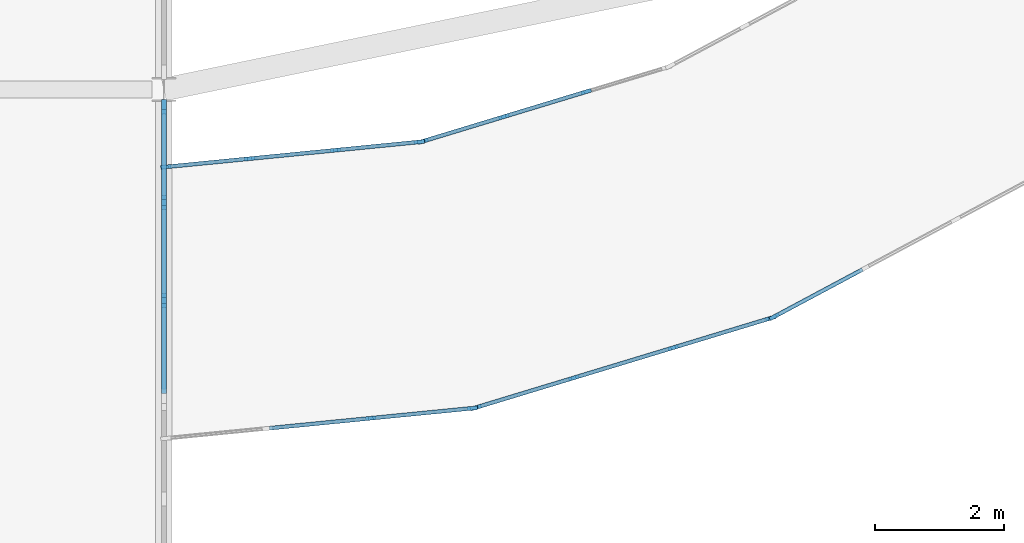
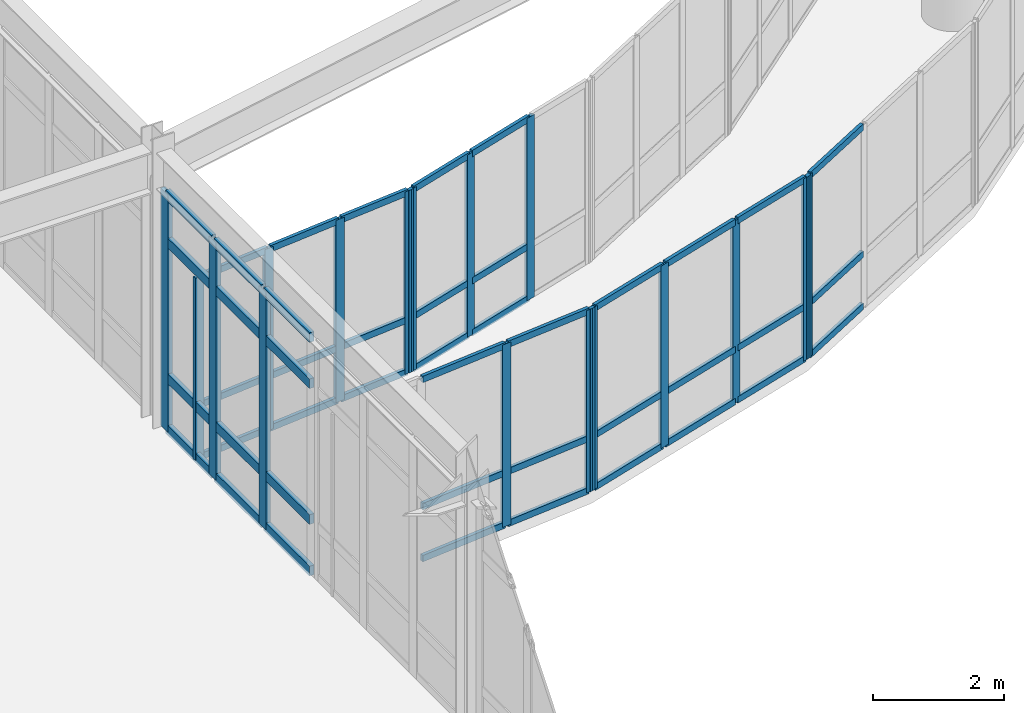
# One storey, part 17 of 72: 62 members, 6 elements without a shape of their own.
"""IFC4 building model written with IfcOpenShell, lengths in metres."""

import ifcopenshell
import ifcopenshell.guid

model = None  # the IFC model being written
_history = None  # IfcOwnerHistory: only IFC2X3 demands one
_inside = {}  # id of a spatial element -> (the spatial element, [elements in it])
_under = {}  # id of a project, library or spatial element -> (it, [spatial elements below it])
_declared = {}  # id of a project -> (the project, [libraries it declares])
_typed = {}  # id of a type object -> (the type object, [elements of that type])
_made_of = {}  # id of a material, layer set ... -> (it, [elements and type objects made of it])


def new_model(schema):
    """Start an empty IFC model of exactly this schema.

    Asked for "IFC4X3", IfcOpenShell would pick the latest addendum, in which some entities
    have other attributes; the version numbers below select the first issue.
    IFC2X3 requires an IfcOwnerHistory on every rooted entity: one is made here for all.
    """
    global model, _history
    if schema == "IFC4X3":
        model = ifcopenshell.file(schema_version=(4, 3, 0, 0))
    else:
        model = ifcopenshell.file(schema=schema)
    _inside.clear()
    _under.clear()
    _declared.clear()
    _typed.clear()
    _made_of.clear()
    _history = None
    if model.schema == "IFC2X3":
        org = make("IfcOrganization", Name="unknown")
        user = make(
            "IfcPersonAndOrganization",
            ThePerson=make("IfcPerson", FamilyName="unknown"),
            TheOrganization=org,
        )
        app = make(
            "IfcApplication",
            ApplicationDeveloper=org,
            Version="unknown",
            ApplicationFullName="unknown",
            ApplicationIdentifier="unknown",
        )
        _history = make(
            "IfcOwnerHistory",
            OwningUser=user,
            OwningApplication=app,
            ChangeAction="ADDED",
            CreationDate=0,
        )
    return model


def make(cls, **values):
    """One entity of the class cls with the attributes given. An attribute that is None is left unset."""
    return model.create_entity(
        cls, **{name: value for name, value in values.items() if value is not None}
    )


def rooted(cls, **values):
    """An entity with a GlobalId (a new one), such as an element, a storey or a relation."""
    return make(cls, GlobalId=ifcopenshell.guid.new(), OwnerHistory=_history, **values)


def si_unit(unit_type, name, prefix=None):
    """IfcSIUnit, for example si_unit("LENGTHUNIT", "METRE", prefix="MILLI")."""
    return make("IfcSIUnit", UnitType=unit_type, Prefix=prefix, Name=name)


def assignment(units):
    """IfcUnitAssignment: the units of a project."""
    return None if units is None else make("IfcUnitAssignment", Units=units)


def point(xyz):
    """IfcCartesianPoint."""
    return None if xyz is None else make("IfcCartesianPoint", Coordinates=xyz)


def direction(xyz):
    """IfcDirection."""
    return None if xyz is None else make("IfcDirection", DirectionRatios=xyz)


def frame(location, z_axis=None, x_axis=None):
    """IfcAxis2Placement3D, a coordinate frame: its origin and axes. An axis left out is left unset."""
    return make(
        "IfcAxis2Placement3D",
        Location=point(location),
        Axis=direction(z_axis),
        RefDirection=direction(x_axis),
    )


def frame_2d(location, x_axis=None):
    """IfcAxis2Placement2D, a coordinate frame in the plane: its origin and x axis."""
    return make(
        "IfcAxis2Placement2D", Location=point(location), RefDirection=direction(x_axis)
    )


def origin():
    """The frame at (0, 0, 0) with its axes left unset."""
    return frame((0.0, 0.0, 0.0))


def origin_2d():
    """The frame at (0, 0) in the plane with its x axis left unset."""
    return frame_2d((0.0, 0.0))


def place(relative_to, where):
    """IfcLocalPlacement: puts the frame where relative to a parent placement (None: the world)."""
    return make(
        "IfcLocalPlacement", PlacementRelTo=relative_to, RelativePlacement=where
    )


def context(
    kind, dimensions, precision=None, world=None, true_north=None, identifier=None
):
    """IfcGeometricRepresentationContext, for example the 3D "Model" context."""
    return make(
        "IfcGeometricRepresentationContext",
        ContextIdentifier=identifier,
        ContextType=kind,
        CoordinateSpaceDimension=dimensions,
        Precision=precision,
        WorldCoordinateSystem=world,
        TrueNorth=true_north,
    )


def subcontext(parent, identifier, kind, view, scale=None):
    """IfcGeometricRepresentationSubContext, for example "Body" below "Model"."""
    return make(
        "IfcGeometricRepresentationSubContext",
        ContextIdentifier=identifier,
        ContextType=kind,
        ParentContext=parent,
        TargetScale=scale,
        TargetView=view,
    )


def project(units=None, contexts=None):
    """IfcProject with its units and contexts."""
    return rooted(
        "IfcProject",
        Name="project",
        RepresentationContexts=contexts,
        UnitsInContext=assignment(units),
    )


def spatial(cls, under=None, at=None, **own):
    """A site, building, storey or space (cls), placed at a placement, below another one or the project."""
    s = rooted(cls, ObjectPlacement=at, **own)
    if under is not None:
        _under.setdefault(under.id(), (under, []))[1].append(s)
    return s


def profile(cls, at=None, kind="AREA", **sizes):
    """A parametric profile (cls). Its sizes go by their IFC names, for example OverallWidth=200.0."""
    return make(cls, ProfileType=kind, Position=at, **sizes)


def rectangle(**sizes):
    """IfcRectangleProfileDef."""
    return profile("IfcRectangleProfileDef", **sizes)


def extrude(swept, where, along, depth):
    """IfcExtrudedAreaSolid: the profile swept, set in the frame where, extruded along a direction by depth."""
    return make(
        "IfcExtrudedAreaSolid",
        SweptArea=swept,
        Position=where,
        ExtrudedDirection=direction(along),
        Depth=depth,
    )


def shape(context_of_items, identifier, shape_type, items):
    """IfcShapeRepresentation: the items that make up one representation, for example the "Body"."""
    return make(
        "IfcShapeRepresentation",
        ContextOfItems=context_of_items,
        RepresentationIdentifier=identifier,
        RepresentationType=shape_type,
        Items=items,
    )


def material(Name=None, Category=None):
    """IfcMaterial."""
    return make("IfcMaterial", Name=Name, Category=Category)


def material_profile(
    of_material, cross_section, Name=None, Category=None, Priority=None
):
    """IfcMaterialProfile: a cross section and its material."""
    return make(
        "IfcMaterialProfile",
        Name=Name,
        Material=of_material,
        Profile=cross_section,
        Priority=Priority,
        Category=Category,
    )


def profile_set(profiles, Name=None, composite=None):
    """IfcMaterialProfileSet."""
    return make(
        "IfcMaterialProfileSet",
        Name=Name,
        MaterialProfiles=profiles,
        CompositeProfile=composite,
    )


def made_of(thing, what):
    """Note that an element or type object is made of a material, layer set ...; save() writes the relation."""
    if what is not None:
        _made_of.setdefault(what.id(), (what, []))[1].append(thing)
    return thing


def type_object(cls, material=None, **own):
    """A type object (cls), such as IfcWallType, which elements share."""
    return made_of(rooted(cls, **own), material)


def element(
    cls,
    number,
    at=None,
    inside=None,
    cuts=None,
    type_object=None,
    material=None,
    context=None,
    identifier="Body",
    shape_type=None,
    held_by="IfcProductDefinitionShape",
    body=None,
    shapes=None,
    **own,
):
    """One element of the class cls, such as IfcWall. Its Tag is "e" and its number.

    at: its placement. inside: the storey or other place that contains it. cuts: it is an
    opening in that element (IfcRelVoidsElement). A single representation is given by context,
    identifier, shape_type and body (its items); several are given by shapes. held_by: the class
    of the entity that holds the representations. save() writes the other relations.
    """
    e = rooted(cls, Tag="e%d" % number, ObjectPlacement=at, **own)
    if body is not None:
        shapes = [shape(context, identifier, shape_type, body)]
    if shapes is not None:
        e.Representation = make(held_by, Representations=shapes)
    if inside is not None:
        _inside.setdefault(inside.id(), (inside, []))[1].append(e)
    if cuts is not None:
        rooted(
            "IfcRelVoidsElement", RelatingBuildingElement=cuts, RelatedOpeningElement=e
        )
    if type_object is not None:
        _typed.setdefault(type_object.id(), (type_object, []))[1].append(e)
    return made_of(e, material)


def aggregate(whole, parts):
    """IfcRelAggregates: a whole, such as a stair, and the parts it consists of."""
    return rooted("IfcRelAggregates", RelatingObject=whole, RelatedObjects=parts)


def save(model, path):
    """Write the relations noted so far, then the file.

    IfcRelAggregates (storeys below a building ...), IfcRelContainedInSpatialStructure (elements
    in a storey), IfcRelDefinesByType, IfcRelAssociatesMaterial and IfcRelDeclares: one each for
    every whole, place, type object, material and project.
    """
    for whole, parts in _under.values():
        aggregate(whole, parts)
    for where, things in _inside.values():
        rooted(
            "IfcRelContainedInSpatialStructure",
            RelatedElements=things,
            RelatingStructure=where,
        )
    for kind, things in _typed.values():
        rooted("IfcRelDefinesByType", RelatedObjects=things, RelatingType=kind)
    for what, things in _made_of.values():
        rooted("IfcRelAssociatesMaterial", RelatedObjects=things, RelatingMaterial=what)
    for by, libraries in _declared.values():
        rooted("IfcRelDeclares", RelatingContext=by, RelatedDefinitions=libraries)
    model.write(path)


model = new_model("IFC4")

# Units and contexts
model_context = context("Model", 3, precision=1e-05, world=origin(), true_north=direction((0.0, 1.0)))
body_context = subcontext(model_context, "Body", "Model", "MODEL_VIEW")
ifc_project = project(units=[si_unit("LENGTHUNIT", "METRE"), si_unit("AREAUNIT", "SQUARE_METRE"), si_unit("VOLUMEUNIT", "CUBIC_METRE"), si_unit("PLANEANGLEUNIT", "RADIAN"), si_unit("MASSUNIT", "GRAM", prefix="KILO")], contexts=[model_context])

# Site, building, storey
site_placement = place(None, origin())
site = spatial("IfcSite", under=ifc_project, at=site_placement, CompositionType="ELEMENT")
building_placement = place(site_placement, origin())
building = spatial("IfcBuilding", under=site, at=building_placement, Name="Veldera Park Congress Hotel", CompositionType="ELEMENT")
storey_placement = place(building_placement, frame((0.0, 0.0, 5.39990234375)))
storey = spatial("IfcBuildingStorey", under=building, at=storey_placement, Name="L01", CompositionType="ELEMENT", Elevation=5.39990234375)

# Curtain wall, members
ifc_material_1 = material(Name="Low-E Triple Insulating Glass Unit (SHGC 0.22)", Category="glass")
curtain_wall_type_1 = type_object("IfcCurtainWallType", Name="CW-BRG", PredefinedType="NOTDEFINED", material=ifc_material_1)
curtain_wall_1_placement = place(storey_placement, origin())
curtain_wall_1 = element("IfcCurtainWall", 1, at=curtain_wall_1_placement, inside=storey, type_object=curtain_wall_type_1, Name="L01 Curtain Wall CW3-BRGW-L01-A00", PredefinedType="NOTDEFINED")
ifc_material_2 = material(Name="Anodised Aluminium Alloy 6063-T6", Category="aluminium")
ifc_material_profile_1 = material_profile(ifc_material_2, rectangle(XDim=0.06005859375, YDim=0.159912109375, at=origin_2d()), Name="ALU 60x160")
ifc_profile_set_1 = profile_set([ifc_material_profile_1], Name="Anodised Aluminium Alloy 6063-T6")
member_type_1 = type_object("IfcMemberType", Name="CWM-160", PredefinedType="MULLION", material=ifc_profile_set_1)
member_1_placement = place(storey_placement, frame((1.599365234375, -6.884765625, 0.0), z_axis=(0.0, 0.0, 1.0), x_axis=(-0.098021259481, 0.995184320963, 0.0)))
member_1 = element("IfcMember", 2, at=member_1_placement, type_object=member_type_1, Name="CW-BRG mullion 3", PredefinedType="MULLION", context=body_context, shape_type="SweptSolid", body=[
    extrude(rectangle(XDim=0.06005859375, YDim=0.159912109375, at=origin_2d()), origin(), (0.0, 0.0, 1.0), 3.400146484375),
])
member_2_placement = place(storey_placement, frame((3.16943359375, -6.730224609375, 0.0), z_axis=(0.0, 0.0, 1.0), x_axis=(-0.098021259481, 0.995184320963, 0.0)))
member_2 = element("IfcMember", 3, at=member_2_placement, type_object=member_type_1, Name="CW-BRG mullion 4", PredefinedType="MULLION", context=body_context, shape_type="SweptSolid", body=[
    extrude(rectangle(XDim=0.06005859375, YDim=0.159912109375, at=origin_2d()), origin(), (0.0, 0.0, 1.0), 3.400146484375),
])

curtain_wall_2_placement = place(storey_placement, origin())
curtain_wall_2 = element("IfcCurtainWall", 4, at=curtain_wall_2_placement, inside=storey, type_object=curtain_wall_type_1, Name="L01 Curtain Wall CW3-BRGW-L01-A01", PredefinedType="NOTDEFINED")
member_3_placement = place(storey_placement, frame((3.22802734375, -6.718505859375, 0.0), z_axis=(0.0, 0.0, 1.0), x_axis=(-0.290287663177, 0.956939429957, 0.0)))
member_3 = element("IfcMember", 5, at=member_3_placement, type_object=member_type_1, Name="CW-BRG mullion 1", PredefinedType="MULLION", context=body_context, shape_type="SweptSolid", body=[
    extrude(rectangle(XDim=0.06005859375, YDim=0.159912109375, at=origin_2d()), origin(), (0.0, 0.0, 1.0), 3.400146484375),
])
member_4_placement = place(storey_placement, frame((4.737548828125, -6.2607421875, 0.0), z_axis=(0.0, 0.0, 1.0), x_axis=(-0.290287663177, 0.956939429957, 0.0)))
member_4 = element("IfcMember", 6, at=member_4_placement, type_object=member_type_1, Name="CW-BRG mullion 2", PredefinedType="MULLION", context=body_context, shape_type="SweptSolid", body=[
    extrude(rectangle(XDim=0.06005859375, YDim=0.159912109375, at=origin_2d()), origin(), (0.0, 0.0, 1.0), 3.400146484375),
])
member_5_placement = place(storey_placement, frame((6.275634765625, -5.7939453125, 0.0), z_axis=(0.0, 0.0, 1.0), x_axis=(-0.290287663177, 0.956939429957, 0.0)))
member_5 = element("IfcMember", 7, at=member_5_placement, type_object=member_type_1, Name="CW-BRG mullion 3", PredefinedType="MULLION", context=body_context, shape_type="SweptSolid", body=[
    extrude(rectangle(XDim=0.06005859375, YDim=0.159912109375, at=origin_2d()), origin(), (0.0, 0.0, 1.0), 3.400146484375),
])
member_6_placement = place(storey_placement, frame((7.785400390625, -5.336181640625, 0.0), z_axis=(0.0, 0.0, 1.0), x_axis=(-0.290287663177, 0.956939429957, 0.0)))
member_6 = element("IfcMember", 8, at=member_6_placement, type_object=member_type_1, Name="CW-BRG mullion 4", PredefinedType="MULLION", context=body_context, shape_type="SweptSolid", body=[
    extrude(rectangle(XDim=0.06005859375, YDim=0.159912109375, at=origin_2d()), origin(), (0.0, 0.0, 1.0), 3.400146484375),
])

# Curtain wall, member
curtain_wall_3_placement = place(storey_placement, origin())
curtain_wall_3 = element("IfcCurtainWall", 9, at=curtain_wall_3_placement, inside=storey, type_object=curtain_wall_type_1, Name="L01 Curtain Wall CW3-BRGW-L01-A02", PredefinedType="NOTDEFINED")
member_7_placement = place(storey_placement, frame((7.840576171875, -5.313232421875, 0.0), z_axis=(0.0, 0.0, 1.0), x_axis=(-0.471384501415, 0.881927804203, 0.0)))
member_7 = element("IfcMember", 10, at=member_7_placement, type_object=member_type_1, Name="CW-BRG mullion 1", PredefinedType="MULLION", context=body_context, shape_type="SweptSolid", body=[
    extrude(rectangle(XDim=0.06005859375, YDim=0.159912109375, at=origin_2d()), origin(), (0.0, 0.0, 1.0), 3.400146484375),
])

# Curtain wall, members
curtain_wall_4_placement = place(storey_placement, origin())
curtain_wall_4 = element("IfcCurtainWall", 11, at=curtain_wall_4_placement, inside=storey, type_object=curtain_wall_type_1, Name="L01 Curtain Wall CW3-BRGW-L01-B15", PredefinedType="NOTDEFINED")
member_8_placement = place(storey_placement, frame((4.93115234375, -1.833984375, 0.0), z_axis=(0.0, 0.0, 1.0), x_axis=(0.290289846929, -0.956938767513, 0.0)))
member_8 = element("IfcMember", 12, at=member_8_placement, type_object=member_type_1, Name="CW-BRG mullion 2", PredefinedType="MULLION", context=body_context, shape_type="SweptSolid", body=[
    extrude(rectangle(XDim=0.06005859375, YDim=0.159912109375, at=origin_2d()), origin(), (0.0, 0.0, 1.0), 3.400146484375),
])
member_9_placement = place(storey_placement, frame((3.655517578125, -2.220947265625, 0.0), z_axis=(0.0, 0.0, 1.0), x_axis=(0.290289846929, -0.956938767513, 0.0)))
member_9 = element("IfcMember", 13, at=member_9_placement, type_object=member_type_1, Name="CW-BRG mullion 3", PredefinedType="MULLION", context=body_context, shape_type="SweptSolid", body=[
    extrude(rectangle(XDim=0.06005859375, YDim=0.159912109375, at=origin_2d()), origin(), (0.0, 0.0, 1.0), 3.400146484375),
])
member_10_placement = place(storey_placement, frame((2.408447265625, -2.599365234375, 0.0), z_axis=(0.0, 0.0, 1.0), x_axis=(0.290289846929, -0.956938767513, 0.0)))
member_10 = element("IfcMember", 14, at=member_10_placement, type_object=member_type_1, Name="CW-BRG mullion 4", PredefinedType="MULLION", context=body_context, shape_type="SweptSolid", body=[
    extrude(rectangle(XDim=0.06005859375, YDim=0.159912109375, at=origin_2d()), origin(), (0.0, 0.0, 1.0), 3.400146484375),
])

curtain_wall_5_placement = place(storey_placement, origin())
curtain_wall_5 = element("IfcCurtainWall", 15, at=curtain_wall_5_placement, inside=storey, type_object=curtain_wall_type_1, Name="L01 Curtain Wall CW3-BRGW-L01-B16", PredefinedType="NOTDEFINED")
member_11_placement = place(storey_placement, frame((2.349853515625, -2.61083984375, 0.0), z_axis=(0.0, 0.0, 1.0), x_axis=(0.098023062513, -0.99518414337, 0.0)))
member_11 = element("IfcMember", 16, at=member_11_placement, type_object=member_type_1, Name="CW-BRG mullion 1", PredefinedType="MULLION", context=body_context, shape_type="SweptSolid", body=[
    extrude(rectangle(XDim=0.06005859375, YDim=0.159912109375, at=origin_2d()), origin(), (0.0, 0.0, 1.0), 3.400146484375),
])
member_12_placement = place(storey_placement, frame((1.05322265625, -2.73876953125, 0.0), z_axis=(0.0, 0.0, 1.0), x_axis=(0.098023062513, -0.99518414337, 0.0)))
member_12 = element("IfcMember", 17, at=member_12_placement, type_object=member_type_1, Name="CW-BRG mullion 2", PredefinedType="MULLION", context=body_context, shape_type="SweptSolid", body=[
    extrude(rectangle(XDim=0.06005859375, YDim=0.159912109375, at=origin_2d()), origin(), (0.0, 0.0, 1.0), 3.400146484375),
])
member_13_placement = place(storey_placement, frame((-0.2734375, -2.869384765625, 0.0), z_axis=(0.0, 0.0, 1.0), x_axis=(0.098023062513, -0.99518414337, 0.0)))
member_13 = element("IfcMember", 18, at=member_13_placement, type_object=member_type_1, Name="CW-BRG mullion 3", PredefinedType="MULLION", context=body_context, shape_type="SweptSolid", body=[
    extrude(rectangle(XDim=0.06005859375, YDim=0.159912109375, at=origin_2d()), origin(), (0.0, 0.0, 1.0), 3.400146484375),
])
member_14_placement = place(storey_placement, frame((-1.570068359375, -2.9970703125, 0.0), z_axis=(0.0, 0.0, 1.0), x_axis=(0.098023062513, -0.99518414337, 0.0)))
member_14 = element("IfcMember", 19, at=member_14_placement, type_object=member_type_1, Name="CW-BRG mullion 4", PredefinedType="MULLION", context=body_context, shape_type="SweptSolid", body=[
    extrude(rectangle(XDim=0.06005859375, YDim=0.159912109375, at=origin_2d()), origin(), (0.0, 0.0, 1.0), 3.400146484375),
])

curtain_wall_type_2 = type_object("IfcCurtainWallType", Name="CW-POD", PredefinedType="NOTDEFINED", material=ifc_material_1)
curtain_wall_6_placement = place(storey_placement, origin())
curtain_wall_6 = element("IfcCurtainWall", 20, at=curtain_wall_6_placement, inside=storey, type_object=curtain_wall_type_2, Name="L01 Curtain Wall CW3-V1E-L01-024", PredefinedType="NOTDEFINED")
ifc_material_profile_2 = material_profile(ifc_material_2, rectangle(XDim=0.080078125, YDim=0.219970703125, at=origin_2d()), Name="ALU 80x220")
ifc_profile_set_2 = profile_set([ifc_material_profile_2], Name="Anodised Aluminium Alloy 6063-T6")
member_type_2 = type_object("IfcMemberType", Name="CWM-220", PredefinedType="MULLION", material=ifc_profile_set_2)
member_15_placement = place(storey_placement, frame((-1.60009765625, -5.0654296875, 0.0), z_axis=(0.0, 0.0, 1.0), x_axis=(-1.0, 0.0, 0.0)))
member_15 = element("IfcMember", 21, at=member_15_placement, type_object=member_type_2, Name="CW-POD mullion 2", PredefinedType="MULLION", context=body_context, shape_type="SweptSolid", body=[
    extrude(rectangle(XDim=0.080078125, YDim=0.219970703125, at=origin_2d()), origin(), (0.0, 0.0, 1.0), 4.43212890625),
])
member_16_placement = place(storey_placement, frame((-1.60009765625, -3.545654296875, 0.0), z_axis=(0.0, 0.0, 1.0), x_axis=(-1.0, 0.0, 0.0)))
member_16 = element("IfcMember", 22, at=member_16_placement, type_object=member_type_2, Name="CW-POD mullion 3", PredefinedType="MULLION", context=body_context, shape_type="SweptSolid", body=[
    extrude(rectangle(XDim=0.080078125, YDim=0.219970703125, at=origin_2d()), origin(), (0.0, 0.0, 1.0), 4.43212890625),
])
member_17_placement = place(storey_placement, frame((-1.60009765625, -2.06591796875, 0.0), z_axis=(0.0, 0.0, 1.0), x_axis=(-1.0, 0.0, 0.0)))
member_17 = element("IfcMember", 23, at=member_17_placement, type_object=member_type_2, Name="CW-POD mullion 4", PredefinedType="MULLION", context=body_context, shape_type="SweptSolid", body=[
    extrude(rectangle(XDim=0.080078125, YDim=0.219970703125, at=origin_2d()), origin(), (0.0, 0.0, 1.0), 4.43212890625),
])

# Member
ifc_material_profile_3 = material_profile(ifc_material_2, rectangle(XDim=0.06005859375, YDim=0.1201171875, at=origin_2d()), Name="ALU 60x120")
ifc_profile_set_3 = profile_set([ifc_material_profile_3], Name="Anodised Aluminium Alloy 6063-T6")
member_type_3 = type_object("IfcMemberType", Name="CWT-120", PredefinedType="USERDEFINED", material=ifc_profile_set_3)
member_18_placement = place(storey_placement, frame((0.029541015625, -7.03955078125, 0.030029296875), z_axis=(0.995173698289, 0.09812904888, 0.0), x_axis=(-0.09812904888, 0.995173698289, 0.0)))
member_18 = element("IfcMember", 24, at=member_18_placement, type_object=member_type_3, Name="CW-BRG transom 2.1", ObjectType="TRANSOM", PredefinedType="USERDEFINED", context=body_context, shape_type="SweptSolid", body=[
    extrude(rectangle(XDim=0.06005859375, YDim=0.1201171875, at=origin_2d()), origin(), (0.0, 0.0, 1.0), 1.547607421875),
])

member_19_placement = place(storey_placement, frame((0.029541015625, -7.03955078125, 1.0), z_axis=(0.995173698289, 0.09812904888, 0.0), x_axis=(-0.09812904888, 0.995173698289, 0.0)))
member_19 = element("IfcMember", 25, at=member_19_placement, type_object=member_type_3, Name="CW-BRG transom 2.2", ObjectType="TRANSOM", PredefinedType="USERDEFINED", context=body_context, shape_type="SweptSolid", body=[
    extrude(rectangle(XDim=0.06005859375, YDim=0.1201171875, at=origin_2d()), origin(), (0.0, 0.0, 1.0), 1.547607421875),
])

member_20_placement = place(storey_placement, frame((0.029541015625, -7.03955078125, 3.3701171875), z_axis=(0.995173698289, 0.09812904888, 0.0), x_axis=(-0.09812904888, 0.995173698289, 0.0)))
member_20 = element("IfcMember", 26, at=member_20_placement, type_object=member_type_3, Name="CW-BRG transom 2.3", ObjectType="TRANSOM", PredefinedType="USERDEFINED", context=body_context, shape_type="SweptSolid", body=[
    extrude(rectangle(XDim=0.06005859375, YDim=0.1201171875, at=origin_2d()), origin(), (0.0, 0.0, 1.0), 1.547607421875),
])

member_21_placement = place(storey_placement, frame((1.62939453125, -6.8818359375, 0.030029296875), z_axis=(0.995187383996, 0.097990156322, 0.0), x_axis=(-0.097990156322, 0.995187383996, 0.0)))
member_21 = element("IfcMember", 27, at=member_21_placement, type_object=member_type_3, Name="CW-BRG transom 3.1", ObjectType="TRANSOM", PredefinedType="USERDEFINED", context=body_context, shape_type="SweptSolid", body=[
    extrude(rectangle(XDim=0.06005859375, YDim=0.1201171875, at=origin_2d()), origin(), (0.0, 0.0, 1.0), 1.517333984375),
])

member_22_placement = place(storey_placement, frame((1.62939453125, -6.8818359375, 1.0), z_axis=(0.995187383996, 0.097990156322, 0.0), x_axis=(-0.097990156322, 0.995187383996, 0.0)))
member_22 = element("IfcMember", 28, at=member_22_placement, type_object=member_type_3, Name="CW-BRG transom 3.2", ObjectType="TRANSOM", PredefinedType="USERDEFINED", context=body_context, shape_type="SweptSolid", body=[
    extrude(rectangle(XDim=0.06005859375, YDim=0.1201171875, at=origin_2d()), origin(), (0.0, 0.0, 1.0), 1.517333984375),
])

member_23_placement = place(storey_placement, frame((1.62939453125, -6.8818359375, 3.3701171875), z_axis=(0.995187383996, 0.097990156322, 0.0), x_axis=(-0.097990156322, 0.995187383996, 0.0)))
member_23 = element("IfcMember", 29, at=member_23_placement, type_object=member_type_3, Name="CW-BRG transom 3.3", ObjectType="TRANSOM", PredefinedType="USERDEFINED", context=body_context, shape_type="SweptSolid", body=[
    extrude(rectangle(XDim=0.06005859375, YDim=0.1201171875, at=origin_2d()), origin(), (0.0, 0.0, 1.0), 1.517333984375),
])

aggregate(curtain_wall_1, [member_1, member_2, member_18, member_19, member_20, member_21, member_22, member_23])

member_24_placement = place(storey_placement, frame((3.256591796875, -6.7099609375, 0.030029296875), z_axis=(0.956909318834, 0.290386906607, 0.0), x_axis=(-0.290386906607, 0.956909318834, 0.0)))
member_24 = element("IfcMember", 30, at=member_24_placement, type_object=member_type_3, Name="CW-BRG transom 1.1", ObjectType="TRANSOM", PredefinedType="USERDEFINED", context=body_context, shape_type="SweptSolid", body=[
    extrude(rectangle(XDim=0.06005859375, YDim=0.1201171875, at=origin_2d()), origin(), (0.0, 0.0, 1.0), 1.517578125),
])

member_25_placement = place(storey_placement, frame((3.256591796875, -6.7099609375, 1.0), z_axis=(0.956909318834, 0.290386906607, 0.0), x_axis=(-0.290386906607, 0.956909318834, 0.0)))
member_25 = element("IfcMember", 31, at=member_25_placement, type_object=member_type_3, Name="CW-BRG transom 1.2", ObjectType="TRANSOM", PredefinedType="USERDEFINED", context=body_context, shape_type="SweptSolid", body=[
    extrude(rectangle(XDim=0.06005859375, YDim=0.1201171875, at=origin_2d()), origin(), (0.0, 0.0, 1.0), 1.517578125),
])

member_26_placement = place(storey_placement, frame((3.256591796875, -6.7099609375, 3.3701171875), z_axis=(0.956909318834, 0.290386906607, 0.0), x_axis=(-0.290386906607, 0.956909318834, 0.0)))
member_26 = element("IfcMember", 32, at=member_26_placement, type_object=member_type_3, Name="CW-BRG transom 1.3", ObjectType="TRANSOM", PredefinedType="USERDEFINED", context=body_context, shape_type="SweptSolid", body=[
    extrude(rectangle(XDim=0.06005859375, YDim=0.1201171875, at=origin_2d()), origin(), (0.0, 0.0, 1.0), 1.517578125),
])

member_27_placement = place(storey_placement, frame((4.76611328125, -6.251953125, 0.030029296875), z_axis=(0.9569447609, 0.29027008903, 0.0), x_axis=(-0.29027008903, 0.9569447609, 0.0)))
member_27 = element("IfcMember", 33, at=member_27_placement, type_object=member_type_3, Name="CW-BRG transom 2.1", ObjectType="TRANSOM", PredefinedType="USERDEFINED", context=body_context, shape_type="SweptSolid", body=[
    extrude(rectangle(XDim=0.06005859375, YDim=0.1201171875, at=origin_2d()), origin(), (0.0, 0.0, 1.0), 1.547607421875),
])

member_28_placement = place(storey_placement, frame((4.76611328125, -6.251953125, 1.0), z_axis=(0.9569447609, 0.29027008903, 0.0), x_axis=(-0.29027008903, 0.9569447609, 0.0)))
member_28 = element("IfcMember", 34, at=member_28_placement, type_object=member_type_3, Name="CW-BRG transom 2.2", ObjectType="TRANSOM", PredefinedType="USERDEFINED", context=body_context, shape_type="SweptSolid", body=[
    extrude(rectangle(XDim=0.06005859375, YDim=0.1201171875, at=origin_2d()), origin(), (0.0, 0.0, 1.0), 1.547607421875),
])

member_29_placement = place(storey_placement, frame((4.76611328125, -6.251953125, 3.3701171875), z_axis=(0.9569447609, 0.29027008903, 0.0), x_axis=(-0.29027008903, 0.9569447609, 0.0)))
member_29 = element("IfcMember", 35, at=member_29_placement, type_object=member_type_3, Name="CW-BRG transom 2.3", ObjectType="TRANSOM", PredefinedType="USERDEFINED", context=body_context, shape_type="SweptSolid", body=[
    extrude(rectangle(XDim=0.06005859375, YDim=0.1201171875, at=origin_2d()), origin(), (0.0, 0.0, 1.0), 1.547607421875),
])

member_30_placement = place(storey_placement, frame((6.304443359375, -5.785400390625, 0.030029296875), z_axis=(0.956909318834, 0.290386906607, 0.0), x_axis=(-0.290386906607, 0.956909318834, 0.0)))
member_30 = element("IfcMember", 36, at=member_30_placement, type_object=member_type_3, Name="CW-BRG transom 3.1", ObjectType="TRANSOM", PredefinedType="USERDEFINED", context=body_context, shape_type="SweptSolid", body=[
    extrude(rectangle(XDim=0.06005859375, YDim=0.1201171875, at=origin_2d()), origin(), (0.0, 0.0, 1.0), 1.517578125),
])

member_31_placement = place(storey_placement, frame((6.304443359375, -5.785400390625, 1.0), z_axis=(0.956909318834, 0.290386906607, 0.0), x_axis=(-0.290386906607, 0.956909318834, 0.0)))
member_31 = element("IfcMember", 37, at=member_31_placement, type_object=member_type_3, Name="CW-BRG transom 3.2", ObjectType="TRANSOM", PredefinedType="USERDEFINED", context=body_context, shape_type="SweptSolid", body=[
    extrude(rectangle(XDim=0.06005859375, YDim=0.1201171875, at=origin_2d()), origin(), (0.0, 0.0, 1.0), 1.517578125),
])

member_32_placement = place(storey_placement, frame((6.304443359375, -5.785400390625, 3.3701171875), z_axis=(0.956909318834, 0.290386906607, 0.0), x_axis=(-0.290386906607, 0.956909318834, 0.0)))
member_32 = element("IfcMember", 38, at=member_32_placement, type_object=member_type_3, Name="CW-BRG transom 3.3", ObjectType="TRANSOM", PredefinedType="USERDEFINED", context=body_context, shape_type="SweptSolid", body=[
    extrude(rectangle(XDim=0.06005859375, YDim=0.1201171875, at=origin_2d()), origin(), (0.0, 0.0, 1.0), 1.517578125),
])

aggregate(curtain_wall_2, [member_3, member_4, member_5, member_6, member_24, member_25, member_26, member_27, member_28, member_29, member_30, member_31, member_32])

member_33_placement = place(storey_placement, frame((7.866943359375, -5.299072265625, 0.030029296875), z_axis=(0.881933974892, 0.4713729563, 0.0), x_axis=(-0.4713729563, 0.881933974892, 0.0)))
member_33 = element("IfcMember", 39, at=member_33_placement, type_object=member_type_3, Name="CW-BRG transom 1.1", ObjectType="TRANSOM", PredefinedType="USERDEFINED", context=body_context, shape_type="SweptSolid", body=[
    extrude(rectangle(XDim=0.06005859375, YDim=0.1201171875, at=origin_2d()), origin(), (0.0, 0.0, 1.0), 1.517578125),
])

member_34_placement = place(storey_placement, frame((7.866943359375, -5.299072265625, 1.0), z_axis=(0.881933974892, 0.4713729563, 0.0), x_axis=(-0.4713729563, 0.881933974892, 0.0)))
member_34 = element("IfcMember", 40, at=member_34_placement, type_object=member_type_3, Name="CW-BRG transom 1.2", ObjectType="TRANSOM", PredefinedType="USERDEFINED", context=body_context, shape_type="SweptSolid", body=[
    extrude(rectangle(XDim=0.06005859375, YDim=0.1201171875, at=origin_2d()), origin(), (0.0, 0.0, 1.0), 1.517578125),
])

member_35_placement = place(storey_placement, frame((7.866943359375, -5.299072265625, 3.3701171875), z_axis=(0.881933974892, 0.4713729563, 0.0), x_axis=(-0.4713729563, 0.881933974892, 0.0)))
member_35 = element("IfcMember", 41, at=member_35_placement, type_object=member_type_3, Name="CW-BRG transom 1.3", ObjectType="TRANSOM", PredefinedType="USERDEFINED", context=body_context, shape_type="SweptSolid", body=[
    extrude(rectangle(XDim=0.06005859375, YDim=0.1201171875, at=origin_2d()), origin(), (0.0, 0.0, 1.0), 1.517578125),
])

aggregate(curtain_wall_3, [member_7, member_33, member_34, member_35])

member_36_placement = place(storey_placement, frame((4.90234375, -1.8427734375, 0.030029296875), z_axis=(-0.956924350559, -0.290337368086, 0.0), x_axis=(0.290337368086, -0.956924350559, 0.0)))
member_36 = element("IfcMember", 42, at=member_36_placement, type_object=member_type_3, Name="CW-BRG transom 2.1", ObjectType="TRANSOM", PredefinedType="USERDEFINED", context=body_context, shape_type="SweptSolid", body=[
    extrude(rectangle(XDim=0.06005859375, YDim=0.1201171875, at=origin_2d()), origin(), (0.0, 0.0, 1.0), 1.273193359375),
])

member_37_placement = place(storey_placement, frame((4.90234375, -1.8427734375, 1.0), z_axis=(-0.956924350559, -0.290337368086, 0.0), x_axis=(0.290337368086, -0.956924350559, 0.0)))
member_37 = element("IfcMember", 43, at=member_37_placement, type_object=member_type_3, Name="CW-BRG transom 2.2", ObjectType="TRANSOM", PredefinedType="USERDEFINED", context=body_context, shape_type="SweptSolid", body=[
    extrude(rectangle(XDim=0.06005859375, YDim=0.1201171875, at=origin_2d()), origin(), (0.0, 0.0, 1.0), 1.273193359375),
])

member_38_placement = place(storey_placement, frame((4.90234375, -1.8427734375, 3.3701171875), z_axis=(-0.956924350559, -0.290337368086, 0.0), x_axis=(0.290337368086, -0.956924350559, 0.0)))
member_38 = element("IfcMember", 44, at=member_38_placement, type_object=member_type_3, Name="CW-BRG transom 2.3", ObjectType="TRANSOM", PredefinedType="USERDEFINED", context=body_context, shape_type="SweptSolid", body=[
    extrude(rectangle(XDim=0.06005859375, YDim=0.1201171875, at=origin_2d()), origin(), (0.0, 0.0, 1.0), 1.273193359375),
])

member_39_placement = place(storey_placement, frame((3.626708984375, -2.229736328125, 0.030029296875), z_axis=(-0.956935154583, -0.290301756665, 0.0), x_axis=(0.290301756665, -0.956935154583, 0.0)))
member_39 = element("IfcMember", 45, at=member_39_placement, type_object=member_type_3, Name="CW-BRG transom 3.1", ObjectType="TRANSOM", PredefinedType="USERDEFINED", context=body_context, shape_type="SweptSolid", body=[
    extrude(rectangle(XDim=0.06005859375, YDim=0.1201171875, at=origin_2d()), origin(), (0.0, 0.0, 1.0), 1.242919921875),
])

member_40_placement = place(storey_placement, frame((3.626708984375, -2.229736328125, 1.0), z_axis=(-0.956935154583, -0.290301756665, 0.0), x_axis=(0.290301756665, -0.956935154583, 0.0)))
member_40 = element("IfcMember", 46, at=member_40_placement, type_object=member_type_3, Name="CW-BRG transom 3.2", ObjectType="TRANSOM", PredefinedType="USERDEFINED", context=body_context, shape_type="SweptSolid", body=[
    extrude(rectangle(XDim=0.06005859375, YDim=0.1201171875, at=origin_2d()), origin(), (0.0, 0.0, 1.0), 1.242919921875),
])

member_41_placement = place(storey_placement, frame((3.626708984375, -2.229736328125, 3.3701171875), z_axis=(-0.956935154583, -0.290301756665, 0.0), x_axis=(0.290301756665, -0.956935154583, 0.0)))
member_41 = element("IfcMember", 47, at=member_41_placement, type_object=member_type_3, Name="CW-BRG transom 3.3", ObjectType="TRANSOM", PredefinedType="USERDEFINED", context=body_context, shape_type="SweptSolid", body=[
    extrude(rectangle(XDim=0.06005859375, YDim=0.1201171875, at=origin_2d()), origin(), (0.0, 0.0, 1.0), 1.242919921875),
])

aggregate(curtain_wall_4, [member_8, member_9, member_10, member_36, member_37, member_38, member_39, member_40, member_41])

member_42_placement = place(storey_placement, frame((2.320068359375, -2.61376953125, 0.030029296875), z_axis=(-0.995166623425, -0.098200771998, 0.0), x_axis=(0.098200771998, -0.995166623425, 0.0)))
member_42 = element("IfcMember", 48, at=member_42_placement, type_object=member_type_3, Name="CW-BRG transom 1.1", ObjectType="TRANSOM", PredefinedType="USERDEFINED", context=body_context, shape_type="SweptSolid", body=[
    extrude(rectangle(XDim=0.06005859375, YDim=0.1201171875, at=origin_2d()), origin(), (0.0, 0.0, 1.0), 1.2431640625),
])

member_43_placement = place(storey_placement, frame((2.320068359375, -2.61376953125, 1.0), z_axis=(-0.995166623425, -0.098200771998, 0.0), x_axis=(0.098200771998, -0.995166623425, 0.0)))
member_43 = element("IfcMember", 49, at=member_43_placement, type_object=member_type_3, Name="CW-BRG transom 1.2", ObjectType="TRANSOM", PredefinedType="USERDEFINED", context=body_context, shape_type="SweptSolid", body=[
    extrude(rectangle(XDim=0.06005859375, YDim=0.1201171875, at=origin_2d()), origin(), (0.0, 0.0, 1.0), 1.2431640625),
])

member_44_placement = place(storey_placement, frame((2.320068359375, -2.61376953125, 3.3701171875), z_axis=(-0.995166623425, -0.098200771998, 0.0), x_axis=(0.098200771998, -0.995166623425, 0.0)))
member_44 = element("IfcMember", 50, at=member_44_placement, type_object=member_type_3, Name="CW-BRG transom 1.3", ObjectType="TRANSOM", PredefinedType="USERDEFINED", context=body_context, shape_type="SweptSolid", body=[
    extrude(rectangle(XDim=0.06005859375, YDim=0.1201171875, at=origin_2d()), origin(), (0.0, 0.0, 1.0), 1.2431640625),
])

member_45_placement = place(storey_placement, frame((1.0234375, -2.74169921875, 0.030029296875), z_axis=(-0.995187913064, -0.097984782963, 0.0), x_axis=(0.097984782963, -0.995187913064, 0.0)))
member_45 = element("IfcMember", 51, at=member_45_placement, type_object=member_type_3, Name="CW-BRG transom 2.1", ObjectType="TRANSOM", PredefinedType="USERDEFINED", context=body_context, shape_type="SweptSolid", body=[
    extrude(rectangle(XDim=0.06005859375, YDim=0.1201171875, at=origin_2d()), origin(), (0.0, 0.0, 1.0), 1.273193359375),
])

member_46_placement = place(storey_placement, frame((1.0234375, -2.74169921875, 1.0), z_axis=(-0.995187913064, -0.097984782963, 0.0), x_axis=(0.097984782963, -0.995187913064, 0.0)))
member_46 = element("IfcMember", 52, at=member_46_placement, type_object=member_type_3, Name="CW-BRG transom 2.2", ObjectType="TRANSOM", PredefinedType="USERDEFINED", context=body_context, shape_type="SweptSolid", body=[
    extrude(rectangle(XDim=0.06005859375, YDim=0.1201171875, at=origin_2d()), origin(), (0.0, 0.0, 1.0), 1.273193359375),
])

member_47_placement = place(storey_placement, frame((1.0234375, -2.74169921875, 3.3701171875), z_axis=(-0.995187913064, -0.097984782963, 0.0), x_axis=(0.097984782963, -0.995187913064, 0.0)))
member_47 = element("IfcMember", 53, at=member_47_placement, type_object=member_type_3, Name="CW-BRG transom 2.3", ObjectType="TRANSOM", PredefinedType="USERDEFINED", context=body_context, shape_type="SweptSolid", body=[
    extrude(rectangle(XDim=0.06005859375, YDim=0.1201171875, at=origin_2d()), origin(), (0.0, 0.0, 1.0), 1.273193359375),
])

member_48_placement = place(storey_placement, frame((-0.30322265625, -2.872314453125, 0.030029296875), z_axis=(-0.995185798349, -0.098006258807, 0.0), x_axis=(0.098006258807, -0.995185798349, 0.0)))
member_48 = element("IfcMember", 54, at=member_48_placement, type_object=member_type_3, Name="CW-BRG transom 3.1", ObjectType="TRANSOM", PredefinedType="USERDEFINED", context=body_context, shape_type="SweptSolid", body=[
    extrude(rectangle(XDim=0.06005859375, YDim=0.1201171875, at=origin_2d()), origin(), (0.0, 0.0, 1.0), 1.2431640625),
])

member_49_placement = place(storey_placement, frame((-0.30322265625, -2.872314453125, 1.0), z_axis=(-0.995185798349, -0.098006258807, 0.0), x_axis=(0.098006258807, -0.995185798349, 0.0)))
member_49 = element("IfcMember", 55, at=member_49_placement, type_object=member_type_3, Name="CW-BRG transom 3.2", ObjectType="TRANSOM", PredefinedType="USERDEFINED", context=body_context, shape_type="SweptSolid", body=[
    extrude(rectangle(XDim=0.06005859375, YDim=0.1201171875, at=origin_2d()), origin(), (0.0, 0.0, 1.0), 1.2431640625),
])

member_50_placement = place(storey_placement, frame((-0.30322265625, -2.872314453125, 3.3701171875), z_axis=(-0.995185798349, -0.098006258807, 0.0), x_axis=(0.098006258807, -0.995185798349, 0.0)))
member_50 = element("IfcMember", 56, at=member_50_placement, type_object=member_type_3, Name="CW-BRG transom 3.3", ObjectType="TRANSOM", PredefinedType="USERDEFINED", context=body_context, shape_type="SweptSolid", body=[
    extrude(rectangle(XDim=0.06005859375, YDim=0.1201171875, at=origin_2d()), origin(), (0.0, 0.0, 1.0), 1.2431640625),
])

aggregate(curtain_wall_5, [member_11, member_12, member_13, member_14, member_42, member_43, member_44, member_45, member_46, member_47, member_48, member_49, member_50])

ifc_material_profile_4 = material_profile(ifc_material_2, rectangle(XDim=0.080078125, YDim=0.179931640625, at=origin_2d()), Name="ALU 80x180")
ifc_profile_set_4 = profile_set([ifc_material_profile_4], Name="Anodised Aluminium Alloy 6063-T6")
member_type_4 = type_object("IfcMemberType", Name="CWT-180", PredefinedType="USERDEFINED", material=ifc_profile_set_4)
member_51_placement = place(storey_placement, frame((-1.60009765625, -6.5048828125, 0.0400390625), z_axis=(0.0, 1.0, 0.0), x_axis=(-1.0, 0.0, 0.0)))
member_51 = element("IfcMember", 57, at=member_51_placement, type_object=member_type_4, Name="CW-POD transom 1.1", ObjectType="TRANSOM", PredefinedType="USERDEFINED", context=body_context, shape_type="SweptSolid", body=[
    extrude(rectangle(XDim=0.080078125, YDim=0.179931640625, at=origin_2d()), origin(), (0.0, 0.0, 1.0), 1.399658203125),
])

member_52_placement = place(storey_placement, frame((-1.60009765625, -6.5048828125, 1.0), z_axis=(0.0, 1.0, 0.0), x_axis=(-1.0, 0.0, 0.0)))
member_52 = element("IfcMember", 58, at=member_52_placement, type_object=member_type_4, Name="CW-POD transom 1.2", ObjectType="TRANSOM", PredefinedType="USERDEFINED", context=body_context, shape_type="SweptSolid", body=[
    extrude(rectangle(XDim=0.080078125, YDim=0.179931640625, at=origin_2d()), origin(), (0.0, 0.0, 1.0), 1.399658203125),
])

member_53_placement = place(storey_placement, frame((-1.60009765625, -6.5048828125, 3.531982421875), z_axis=(0.0, 1.0, 0.0), x_axis=(-1.0, 0.0, 0.0)))
member_53 = element("IfcMember", 59, at=member_53_placement, type_object=member_type_4, Name="CW-POD transom 1.3", ObjectType="TRANSOM", PredefinedType="USERDEFINED", context=body_context, shape_type="SweptSolid", body=[
    extrude(rectangle(XDim=0.080078125, YDim=0.179931640625, at=origin_2d()), origin(), (0.0, 0.0, 1.0), 1.399658203125),
])

member_54_placement = place(storey_placement, frame((-1.60009765625, -6.5048828125, 4.39208984375), z_axis=(0.0, 1.0, 0.0), x_axis=(-1.0, 0.0, 0.0)))
member_54 = element("IfcMember", 60, at=member_54_placement, type_object=member_type_4, Name="CW-POD transom 1.4", ObjectType="TRANSOM", PredefinedType="USERDEFINED", context=body_context, shape_type="SweptSolid", body=[
    extrude(rectangle(XDim=0.080078125, YDim=0.179931640625, at=origin_2d()), origin(), (0.0, 0.0, 1.0), 1.399658203125),
])

member_55_placement = place(storey_placement, frame((-1.60009765625, -5.025390625, 0.0400390625), z_axis=(0.0, 1.0, 0.0), x_axis=(-1.0, 0.0, 0.0)))
member_55 = element("IfcMember", 61, at=member_55_placement, type_object=member_type_4, Name="CW-POD transom 2.1", ObjectType="TRANSOM", PredefinedType="USERDEFINED", context=body_context, shape_type="SweptSolid", body=[
    extrude(rectangle(XDim=0.080078125, YDim=0.179931640625, at=origin_2d()), origin(), (0.0, 0.0, 1.0), 1.439697265625),
])

member_56_placement = place(storey_placement, frame((-1.60009765625, -5.025390625, 1.0), z_axis=(0.0, 1.0, 0.0), x_axis=(-1.0, 0.0, 0.0)))
member_56 = element("IfcMember", 62, at=member_56_placement, type_object=member_type_4, Name="CW-POD transom 2.2", ObjectType="TRANSOM", PredefinedType="USERDEFINED", context=body_context, shape_type="SweptSolid", body=[
    extrude(rectangle(XDim=0.080078125, YDim=0.179931640625, at=origin_2d()), origin(), (0.0, 0.0, 1.0), 1.439697265625),
])

member_57_placement = place(storey_placement, frame((-1.60009765625, -5.025390625, 3.531982421875), z_axis=(0.0, 1.0, 0.0), x_axis=(-1.0, 0.0, 0.0)))
member_57 = element("IfcMember", 63, at=member_57_placement, type_object=member_type_4, Name="CW-POD transom 2.3", ObjectType="TRANSOM", PredefinedType="USERDEFINED", context=body_context, shape_type="SweptSolid", body=[
    extrude(rectangle(XDim=0.080078125, YDim=0.179931640625, at=origin_2d()), origin(), (0.0, 0.0, 1.0), 1.439697265625),
])

member_58_placement = place(storey_placement, frame((-1.60009765625, -5.025390625, 4.39208984375), z_axis=(0.0, 1.0, 0.0), x_axis=(-1.0, 0.0, 0.0)))
member_58 = element("IfcMember", 64, at=member_58_placement, type_object=member_type_4, Name="CW-POD transom 2.4", ObjectType="TRANSOM", PredefinedType="USERDEFINED", context=body_context, shape_type="SweptSolid", body=[
    extrude(rectangle(XDim=0.080078125, YDim=0.179931640625, at=origin_2d()), origin(), (0.0, 0.0, 1.0), 1.439697265625),
])

member_59_placement = place(storey_placement, frame((-1.60009765625, -3.505615234375, 0.0400390625), z_axis=(0.0, 1.0, 0.0), x_axis=(-1.0, 0.0, 0.0)))
member_59 = element("IfcMember", 65, at=member_59_placement, type_object=member_type_4, Name="CW-POD transom 3.1", ObjectType="TRANSOM", PredefinedType="USERDEFINED", context=body_context, shape_type="SweptSolid", body=[
    extrude(rectangle(XDim=0.080078125, YDim=0.179931640625, at=origin_2d()), origin(), (0.0, 0.0, 1.0), 1.399658203125),
])

member_60_placement = place(storey_placement, frame((-1.60009765625, -3.505615234375, 1.0), z_axis=(0.0, 1.0, 0.0), x_axis=(-1.0, 0.0, 0.0)))
member_60 = element("IfcMember", 66, at=member_60_placement, type_object=member_type_4, Name="CW-POD transom 3.2", ObjectType="TRANSOM", PredefinedType="USERDEFINED", context=body_context, shape_type="SweptSolid", body=[
    extrude(rectangle(XDim=0.080078125, YDim=0.179931640625, at=origin_2d()), origin(), (0.0, 0.0, 1.0), 1.399658203125),
])

member_61_placement = place(storey_placement, frame((-1.60009765625, -3.505615234375, 3.531982421875), z_axis=(0.0, 1.0, 0.0), x_axis=(-1.0, 0.0, 0.0)))
member_61 = element("IfcMember", 67, at=member_61_placement, type_object=member_type_4, Name="CW-POD transom 3.3", ObjectType="TRANSOM", PredefinedType="USERDEFINED", context=body_context, shape_type="SweptSolid", body=[
    extrude(rectangle(XDim=0.080078125, YDim=0.179931640625, at=origin_2d()), origin(), (0.0, 0.0, 1.0), 1.399658203125),
])

member_62_placement = place(storey_placement, frame((-1.60009765625, -3.505615234375, 4.39208984375), z_axis=(0.0, 1.0, 0.0), x_axis=(-1.0, 0.0, 0.0)))
member_62 = element("IfcMember", 68, at=member_62_placement, type_object=member_type_4, Name="CW-POD transom 3.4", ObjectType="TRANSOM", PredefinedType="USERDEFINED", context=body_context, shape_type="SweptSolid", body=[
    extrude(rectangle(XDim=0.080078125, YDim=0.179931640625, at=origin_2d()), origin(), (0.0, 0.0, 1.0), 1.399658203125),
])

aggregate(curtain_wall_6, [member_15, member_16, member_17, member_51, member_52, member_53, member_54, member_55, member_56, member_57, member_58, member_59, member_60, member_61, member_62])

save(model, "model.ifc")
